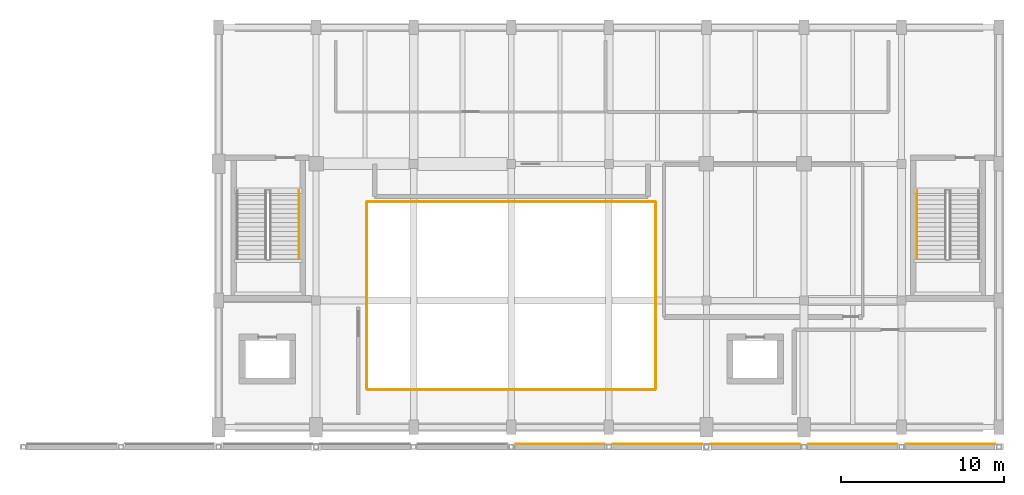
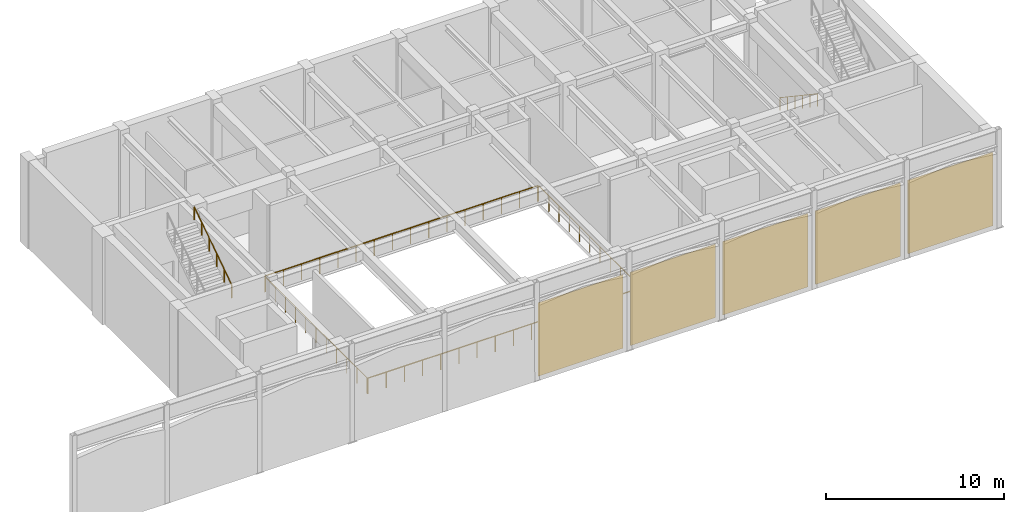
# One storey, part 7 of 8: 6 railings, 5 coverings.
"""IFC4 building model written with IfcOpenShell, lengths in metres."""

import ifcopenshell
import ifcopenshell.guid

model = None  # the IFC model being written
_history = None  # IfcOwnerHistory: only IFC2X3 demands one
_inside = {}  # id of a spatial element -> (the spatial element, [elements in it])
_under = {}  # id of a project, library or spatial element -> (it, [spatial elements below it])
_declared = {}  # id of a project -> (the project, [libraries it declares])
_typed = {}  # id of a type object -> (the type object, [elements of that type])
_made_of = {}  # id of a material, layer set ... -> (it, [elements and type objects made of it])


def new_model(schema):
    """Start an empty IFC model of exactly this schema.

    Asked for "IFC4X3", IfcOpenShell would pick the latest addendum, in which some entities
    have other attributes; the version numbers below select the first issue.
    IFC2X3 requires an IfcOwnerHistory on every rooted entity: one is made here for all.
    """
    global model, _history
    if schema == "IFC4X3":
        model = ifcopenshell.file(schema_version=(4, 3, 0, 0))
    else:
        model = ifcopenshell.file(schema=schema)
    _inside.clear()
    _under.clear()
    _declared.clear()
    _typed.clear()
    _made_of.clear()
    _history = None
    if model.schema == "IFC2X3":
        org = make("IfcOrganization", Name="unknown")
        user = make(
            "IfcPersonAndOrganization",
            ThePerson=make("IfcPerson", FamilyName="unknown"),
            TheOrganization=org,
        )
        app = make(
            "IfcApplication",
            ApplicationDeveloper=org,
            Version="unknown",
            ApplicationFullName="unknown",
            ApplicationIdentifier="unknown",
        )
        _history = make(
            "IfcOwnerHistory",
            OwningUser=user,
            OwningApplication=app,
            ChangeAction="ADDED",
            CreationDate=0,
        )
    return model


def make(cls, **values):
    """One entity of the class cls with the attributes given. An attribute that is None is left unset."""
    return model.create_entity(
        cls, **{name: value for name, value in values.items() if value is not None}
    )


def rooted(cls, **values):
    """An entity with a GlobalId (a new one), such as an element, a storey or a relation."""
    return make(cls, GlobalId=ifcopenshell.guid.new(), OwnerHistory=_history, **values)


def si_unit(unit_type, name, prefix=None):
    """IfcSIUnit, for example si_unit("LENGTHUNIT", "METRE", prefix="MILLI")."""
    return make("IfcSIUnit", UnitType=unit_type, Prefix=prefix, Name=name)


def assignment(units):
    """IfcUnitAssignment: the units of a project."""
    return None if units is None else make("IfcUnitAssignment", Units=units)


def point(xyz):
    """IfcCartesianPoint."""
    return None if xyz is None else make("IfcCartesianPoint", Coordinates=xyz)


def direction(xyz):
    """IfcDirection."""
    return None if xyz is None else make("IfcDirection", DirectionRatios=xyz)


def frame(location, z_axis=None, x_axis=None):
    """IfcAxis2Placement3D, a coordinate frame: its origin and axes. An axis left out is left unset."""
    return make(
        "IfcAxis2Placement3D",
        Location=point(location),
        Axis=direction(z_axis),
        RefDirection=direction(x_axis),
    )


def frame_2d(location, x_axis=None):
    """IfcAxis2Placement2D, a coordinate frame in the plane: its origin and x axis."""
    return make(
        "IfcAxis2Placement2D", Location=point(location), RefDirection=direction(x_axis)
    )


def origin():
    """The frame at (0, 0, 0) with its axes left unset."""
    return frame((0.0, 0.0, 0.0))


def origin_2d():
    """The frame at (0, 0) in the plane with its x axis left unset."""
    return frame_2d((0.0, 0.0))


def place(relative_to, where):
    """IfcLocalPlacement: puts the frame where relative to a parent placement (None: the world)."""
    return make(
        "IfcLocalPlacement", PlacementRelTo=relative_to, RelativePlacement=where
    )


def context(
    kind, dimensions, precision=None, world=None, true_north=None, identifier=None
):
    """IfcGeometricRepresentationContext, for example the 3D "Model" context."""
    return make(
        "IfcGeometricRepresentationContext",
        ContextIdentifier=identifier,
        ContextType=kind,
        CoordinateSpaceDimension=dimensions,
        Precision=precision,
        WorldCoordinateSystem=world,
        TrueNorth=true_north,
    )


def subcontext(parent, identifier, kind, view, scale=None):
    """IfcGeometricRepresentationSubContext, for example "Body" below "Model"."""
    return make(
        "IfcGeometricRepresentationSubContext",
        ContextIdentifier=identifier,
        ContextType=kind,
        ParentContext=parent,
        TargetScale=scale,
        TargetView=view,
    )


def project(units=None, contexts=None):
    """IfcProject with its units and contexts."""
    return rooted(
        "IfcProject",
        Name="project",
        RepresentationContexts=contexts,
        UnitsInContext=assignment(units),
    )


def spatial(cls, under=None, at=None, **own):
    """A site, building, storey or space (cls), placed at a placement, below another one or the project."""
    s = rooted(cls, ObjectPlacement=at, **own)
    if under is not None:
        _under.setdefault(under.id(), (under, []))[1].append(s)
    return s


def profile(cls, at=None, kind="AREA", **sizes):
    """A parametric profile (cls). Its sizes go by their IFC names, for example OverallWidth=200.0."""
    return make(cls, ProfileType=kind, Position=at, **sizes)


def rectangle(**sizes):
    """IfcRectangleProfileDef."""
    return profile("IfcRectangleProfileDef", **sizes)


def circle(**sizes):
    """IfcCircleProfileDef."""
    return profile("IfcCircleProfileDef", **sizes)


def extrude(swept, where, along, depth):
    """IfcExtrudedAreaSolid: the profile swept, set in the frame where, extruded along a direction by depth."""
    return make(
        "IfcExtrudedAreaSolid",
        SweptArea=swept,
        Position=where,
        ExtrudedDirection=direction(along),
        Depth=depth,
    )


def shape(context_of_items, identifier, shape_type, items):
    """IfcShapeRepresentation: the items that make up one representation, for example the "Body"."""
    return make(
        "IfcShapeRepresentation",
        ContextOfItems=context_of_items,
        RepresentationIdentifier=identifier,
        RepresentationType=shape_type,
        Items=items,
    )


def material(Name=None, Category=None):
    """IfcMaterial."""
    return make("IfcMaterial", Name=Name, Category=Category)


def layer(
    of_material, thickness, ventilated=None, Name=None, Category=None, Priority=None
):
    """IfcMaterialLayer: one layer of a wall or slab, of a material (None: an air gap)."""
    return make(
        "IfcMaterialLayer",
        Material=of_material,
        LayerThickness=thickness,
        IsVentilated=ventilated,
        Name=Name,
        Category=Category,
        Priority=Priority,
    )


def layer_set(layers, Name=None):
    """IfcMaterialLayerSet."""
    return make("IfcMaterialLayerSet", MaterialLayers=layers, LayerSetName=Name)


def made_of(thing, what):
    """Note that an element or type object is made of a material, layer set ...; save() writes the relation."""
    if what is not None:
        _made_of.setdefault(what.id(), (what, []))[1].append(thing)
    return thing


def type_object(cls, material=None, **own):
    """A type object (cls), such as IfcWallType, which elements share."""
    return made_of(rooted(cls, **own), material)


def element(
    cls,
    number,
    at=None,
    inside=None,
    cuts=None,
    type_object=None,
    material=None,
    context=None,
    identifier="Body",
    shape_type=None,
    held_by="IfcProductDefinitionShape",
    body=None,
    shapes=None,
    **own,
):
    """One element of the class cls, such as IfcWall. Its Tag is "e" and its number.

    at: its placement. inside: the storey or other place that contains it. cuts: it is an
    opening in that element (IfcRelVoidsElement). A single representation is given by context,
    identifier, shape_type and body (its items); several are given by shapes. held_by: the class
    of the entity that holds the representations. save() writes the other relations.
    """
    e = rooted(cls, Tag="e%d" % number, ObjectPlacement=at, **own)
    if body is not None:
        shapes = [shape(context, identifier, shape_type, body)]
    if shapes is not None:
        e.Representation = make(held_by, Representations=shapes)
    if inside is not None:
        _inside.setdefault(inside.id(), (inside, []))[1].append(e)
    if cuts is not None:
        rooted(
            "IfcRelVoidsElement", RelatingBuildingElement=cuts, RelatedOpeningElement=e
        )
    if type_object is not None:
        _typed.setdefault(type_object.id(), (type_object, []))[1].append(e)
    return made_of(e, material)


def aggregate(whole, parts):
    """IfcRelAggregates: a whole, such as a stair, and the parts it consists of."""
    return rooted("IfcRelAggregates", RelatingObject=whole, RelatedObjects=parts)


def save(model, path):
    """Write the relations noted so far, then the file.

    IfcRelAggregates (storeys below a building ...), IfcRelContainedInSpatialStructure (elements
    in a storey), IfcRelDefinesByType, IfcRelAssociatesMaterial and IfcRelDeclares: one each for
    every whole, place, type object, material and project.
    """
    for whole, parts in _under.values():
        aggregate(whole, parts)
    for where, things in _inside.values():
        rooted(
            "IfcRelContainedInSpatialStructure",
            RelatedElements=things,
            RelatingStructure=where,
        )
    for kind, things in _typed.values():
        rooted("IfcRelDefinesByType", RelatedObjects=things, RelatingType=kind)
    for what, things in _made_of.values():
        rooted("IfcRelAssociatesMaterial", RelatedObjects=things, RelatingMaterial=what)
    for by, libraries in _declared.values():
        rooted("IfcRelDeclares", RelatingContext=by, RelatedDefinitions=libraries)
    model.write(path)


model = new_model("IFC4")

# Units and contexts
model_context = context("Model", 3, precision=1e-05, world=origin(), true_north=direction((0.0, 1.0)))
body_context = subcontext(model_context, "Body", "Model", "MODEL_VIEW")
ifc_project = project(units=[si_unit("LENGTHUNIT", "METRE"), si_unit("AREAUNIT", "SQUARE_METRE"), si_unit("VOLUMEUNIT", "CUBIC_METRE"), si_unit("PLANEANGLEUNIT", "RADIAN"), si_unit("MASSUNIT", "GRAM", prefix="KILO")], contexts=[model_context])

# Site, building, storey
site_placement = place(None, origin())
site = spatial("IfcSite", under=ifc_project, at=site_placement, CompositionType="ELEMENT")
building_placement = place(site_placement, origin())
building = spatial("IfcBuilding", under=site, at=building_placement, Name="Vaelkrest Opera House", CompositionType="ELEMENT")
storey_placement = place(building_placement, frame((0.0, 0.0, 30.0)))
storey = spatial("IfcBuildingStorey", under=building, at=storey_placement, Name="L06", CompositionType="ELEMENT", Elevation=30.0)

# Coverings
ifc_material_1 = material(Name="American black walnut acoustic timber", Category="wood")
ifc_layer = layer(ifc_material_1, 0.0400390625)
ifc_layer_set = layer_set([ifc_layer], Name="American black walnut acoustic timber")
covering_type = type_object("IfcCoveringType", Name="COV-CL01", PredefinedType="CLADDING", material=ifc_layer_set)
for number, where, z_axis, x_axis, name in (
    (1, (3.0, 16.37744140625, 0.05029296875), (0.0, 0.0, 1.0), (1.0, 0.0, 0.0), "Walnut timber facade cladding V1-06"),
    (2, (9.0, 16.37744140625, 0.05029296875), (0.0, 0.0, 1.0), (1.0, 0.0, 0.0), "Walnut timber facade cladding V1-07"),
    (3, (15.0, 16.37744140625, 0.05029296875), (0.0, 0.0, 1.0), (1.0, 0.0, 0.0), "Walnut timber facade cladding V1-08"),
    (4, (21.0, 16.37744140625, 0.05029296875), (0.0, 0.0, 1.0), (1.0, 0.0, 0.0), "Walnut timber facade cladding V1-09"),
    (5, (27.0, 16.37744140625, 0.05029296875), (0.0, 0.0, 1.0), (1.0, 0.0, 0.0), "Walnut timber facade cladding V1-10"),
):
    element("IfcCovering", number, at=place(storey_placement, frame(where, z_axis=z_axis, x_axis=x_axis)), inside=storey, type_object=covering_type, Name=name, PredefinedType="CLADDING", context=body_context, shape_type="SweptSolid", body=[
        extrude(rectangle(XDim=5.5, YDim=0.0400390625, at=origin_2d()), origin(), (0.0, 0.0, 1.0), 5.035888671875),
    ])

# Railings
ifc_material_2 = material(Name="Dark bronze anodized aluminium", Category="aluminium")
railing_type_1 = type_object("IfcRailingType", Name="GR01", PredefinedType="GUARDRAIL", material=ifc_material_2)
railing_1_placement = place(storey_placement, frame((-8.840087890625, 19.719970703125, 0.0)))
element("IfcRailing", 6, at=railing_1_placement, inside=storey, type_object=railing_type_1, Name="Atrium/stage void guard V2 L06-1 seg 1", PredefinedType="GUARDRAIL", context=body_context, shape_type="SweptSolid", body=[
    extrude(circle(Radius=0.02392578125, at=origin_2d()), frame((0.0, 0.0, 1.076171875), z_axis=(1.0, 0.0, 0.0), x_axis=(0.0, 1.0, 0.0)), (0.0, 0.0, 1.0), 17.68017578125),
    extrude(circle(Radius=0.02099609375, at=origin_2d()), origin(), (0.0, 0.0, 1.0), 1.052001953125),
    extrude(circle(Radius=0.02099609375, at=origin_2d()), frame((1.1787109375, 0.0, 0.0)), (0.0, 0.0, 1.0), 1.052001953125),
    extrude(circle(Radius=0.02099609375, at=origin_2d()), frame((2.357421875, 0.0, 0.0)), (0.0, 0.0, 1.0), 1.052001953125),
    extrude(circle(Radius=0.02099609375, at=origin_2d()), frame((3.5361328125, 0.0, 0.0)), (0.0, 0.0, 1.0), 1.052001953125),
    extrude(circle(Radius=0.02099609375, at=origin_2d()), frame((4.714599609375, 0.0, 0.0)), (0.0, 0.0, 1.0), 1.052001953125),
    extrude(circle(Radius=0.02099609375, at=origin_2d()), frame((5.893310546875, 0.0, 0.0)), (0.0, 0.0, 1.0), 1.052001953125),
    extrude(circle(Radius=0.02099609375, at=origin_2d()), frame((7.072021484375, 0.0, 0.0)), (0.0, 0.0, 1.0), 1.052001953125),
    extrude(circle(Radius=0.02099609375, at=origin_2d()), frame((8.250732421875, 0.0, 0.0)), (0.0, 0.0, 1.0), 1.052001953125),
    extrude(circle(Radius=0.02099609375, at=origin_2d()), frame((9.429443359375, 0.0, 0.0)), (0.0, 0.0, 1.0), 1.052001953125),
    extrude(circle(Radius=0.02099609375, at=origin_2d()), frame((10.608154296875, 0.0, 0.0)), (0.0, 0.0, 1.0), 1.052001953125),
    extrude(circle(Radius=0.02099609375, at=origin_2d()), frame((11.786865234375, 0.0, 0.0)), (0.0, 0.0, 1.0), 1.052001953125),
    extrude(circle(Radius=0.02099609375, at=origin_2d()), frame((12.965576171875, 0.0, 0.0)), (0.0, 0.0, 1.0), 1.052001953125),
    extrude(circle(Radius=0.02099609375, at=origin_2d()), frame((14.14404296875, 0.0, 0.0)), (0.0, 0.0, 1.0), 1.052001953125),
    extrude(circle(Radius=0.02099609375, at=origin_2d()), frame((15.32275390625, 0.0, 0.0)), (0.0, 0.0, 1.0), 1.052001953125),
    extrude(circle(Radius=0.02099609375, at=origin_2d()), frame((16.50146484375, 0.0, 0.0)), (0.0, 0.0, 1.0), 1.052001953125),
    extrude(circle(Radius=0.02099609375, at=origin_2d()), frame((17.68017578125, 0.0, 0.0)), (0.0, 0.0, 1.0), 1.052001953125),
])
railing_2_placement = place(storey_placement, frame((8.8798828125, 19.760009765625, 0.0)))
element("IfcRailing", 7, at=railing_2_placement, inside=storey, type_object=railing_type_1, Name="Atrium/stage void guard V2 L06-1 seg 2", PredefinedType="GUARDRAIL", context=body_context, shape_type="SweptSolid", body=[
    extrude(circle(Radius=0.02392578125, at=origin_2d()), frame((0.0, 0.0, 1.076171875), z_axis=(0.0, 1.0, 0.0), x_axis=(-1.0, 0.0, 0.0)), (0.0, 0.0, 1.0), 11.47998046875),
    extrude(circle(Radius=0.02099609375, at=origin_2d()), origin(), (0.0, 0.0, 1.0), 1.052001953125),
    extrude(circle(Radius=0.02099609375, at=origin_2d()), frame((0.0, 1.14794921875, 0.0)), (0.0, 0.0, 1.0), 1.052001953125),
    extrude(circle(Radius=0.02099609375, at=origin_2d()), frame((0.0, 2.2958984375, 0.0)), (0.0, 0.0, 1.0), 1.052001953125),
    extrude(circle(Radius=0.02099609375, at=origin_2d()), frame((0.0, 3.444091796875, 0.0)), (0.0, 0.0, 1.0), 1.052001953125),
    extrude(circle(Radius=0.02099609375, at=origin_2d()), frame((0.0, 4.592041015625, 0.0)), (0.0, 0.0, 1.0), 1.052001953125),
    extrude(circle(Radius=0.02099609375, at=origin_2d()), frame((0.0, 5.739990234375, 0.0)), (0.0, 0.0, 1.0), 1.052001953125),
    extrude(circle(Radius=0.02099609375, at=origin_2d()), frame((0.0, 6.887939453125, 0.0)), (0.0, 0.0, 1.0), 1.052001953125),
    extrude(circle(Radius=0.02099609375, at=origin_2d()), frame((0.0, 8.035888671875, 0.0)), (0.0, 0.0, 1.0), 1.052001953125),
    extrude(circle(Radius=0.02099609375, at=origin_2d()), frame((0.0, 9.18408203125, 0.0)), (0.0, 0.0, 1.0), 1.052001953125),
    extrude(circle(Radius=0.02099609375, at=origin_2d()), frame((0.0, 10.33203125, 0.0)), (0.0, 0.0, 1.0), 1.052001953125),
    extrude(circle(Radius=0.02099609375, at=origin_2d()), frame((0.0, 11.47998046875, 0.0)), (0.0, 0.0, 1.0), 1.052001953125),
])
railing_3_placement = place(storey_placement, frame((8.840087890625, 31.280029296875, 0.0)))
element("IfcRailing", 8, at=railing_3_placement, inside=storey, type_object=railing_type_1, Name="Atrium/stage void guard V2 L06-1 seg 3", PredefinedType="GUARDRAIL", context=body_context, shape_type="SweptSolid", body=[
    extrude(circle(Radius=0.02392578125, at=origin_2d()), frame((0.0, 0.0, 1.076171875), z_axis=(-1.0, 0.0, 0.0), x_axis=(0.0, -1.0, 0.0)), (0.0, 0.0, 1.0), 17.68017578125),
    extrude(circle(Radius=0.02099609375, at=origin_2d()), origin(), (0.0, 0.0, 1.0), 1.052001953125),
    extrude(circle(Radius=0.02099609375, at=origin_2d()), frame((-1.1787109375, 0.0, 0.0)), (0.0, 0.0, 1.0), 1.052001953125),
    extrude(circle(Radius=0.02099609375, at=origin_2d()), frame((-2.357421875, 0.0, 0.0)), (0.0, 0.0, 1.0), 1.052001953125),
    extrude(circle(Radius=0.02099609375, at=origin_2d()), frame((-3.5361328125, 0.0, 0.0)), (0.0, 0.0, 1.0), 1.052001953125),
    extrude(circle(Radius=0.02099609375, at=origin_2d()), frame((-4.714599609375, 0.0, 0.0)), (0.0, 0.0, 1.0), 1.052001953125),
    extrude(circle(Radius=0.02099609375, at=origin_2d()), frame((-5.893310546875, 0.0, 0.0)), (0.0, 0.0, 1.0), 1.052001953125),
    extrude(circle(Radius=0.02099609375, at=origin_2d()), frame((-7.072021484375, 0.0, 0.0)), (0.0, 0.0, 1.0), 1.052001953125),
    extrude(circle(Radius=0.02099609375, at=origin_2d()), frame((-8.250732421875, 0.0, 0.0)), (0.0, 0.0, 1.0), 1.052001953125),
    extrude(circle(Radius=0.02099609375, at=origin_2d()), frame((-9.429443359375, 0.0, 0.0)), (0.0, 0.0, 1.0), 1.052001953125),
    extrude(circle(Radius=0.02099609375, at=origin_2d()), frame((-10.608154296875, 0.0, 0.0)), (0.0, 0.0, 1.0), 1.052001953125),
    extrude(circle(Radius=0.02099609375, at=origin_2d()), frame((-11.786865234375, 0.0, 0.0)), (0.0, 0.0, 1.0), 1.052001953125),
    extrude(circle(Radius=0.02099609375, at=origin_2d()), frame((-12.965576171875, 0.0, 0.0)), (0.0, 0.0, 1.0), 1.052001953125),
    extrude(circle(Radius=0.02099609375, at=origin_2d()), frame((-14.14404296875, 0.0, 0.0)), (0.0, 0.0, 1.0), 1.052001953125),
    extrude(circle(Radius=0.02099609375, at=origin_2d()), frame((-15.32275390625, 0.0, 0.0)), (0.0, 0.0, 1.0), 1.052001953125),
    extrude(circle(Radius=0.02099609375, at=origin_2d()), frame((-16.50146484375, 0.0, 0.0)), (0.0, 0.0, 1.0), 1.052001953125),
    extrude(circle(Radius=0.02099609375, at=origin_2d()), frame((-17.68017578125, 0.0, 0.0)), (0.0, 0.0, 1.0), 1.052001953125),
])
railing_4_placement = place(storey_placement, frame((-8.8798828125, 31.239990234375, 0.0)))
element("IfcRailing", 9, at=railing_4_placement, inside=storey, type_object=railing_type_1, Name="Atrium/stage void guard V2 L06-1 seg 4", PredefinedType="GUARDRAIL", context=body_context, shape_type="SweptSolid", body=[
    extrude(circle(Radius=0.02392578125, at=origin_2d()), frame((0.0, 0.0, 1.076171875), z_axis=(0.0, -1.0, 0.0), x_axis=(1.0, 0.0, 0.0)), (0.0, 0.0, 1.0), 11.47998046875),
    extrude(circle(Radius=0.02099609375, at=origin_2d()), origin(), (0.0, 0.0, 1.0), 1.052001953125),
    extrude(circle(Radius=0.02099609375, at=origin_2d()), frame((0.0, -1.14794921875, 0.0)), (0.0, 0.0, 1.0), 1.052001953125),
    extrude(circle(Radius=0.02099609375, at=origin_2d()), frame((0.0, -2.2958984375, 0.0)), (0.0, 0.0, 1.0), 1.052001953125),
    extrude(circle(Radius=0.02099609375, at=origin_2d()), frame((0.0, -3.444091796875, 0.0)), (0.0, 0.0, 1.0), 1.052001953125),
    extrude(circle(Radius=0.02099609375, at=origin_2d()), frame((0.0, -4.592041015625, 0.0)), (0.0, 0.0, 1.0), 1.052001953125),
    extrude(circle(Radius=0.02099609375, at=origin_2d()), frame((0.0, -5.739990234375, 0.0)), (0.0, 0.0, 1.0), 1.052001953125),
    extrude(circle(Radius=0.02099609375, at=origin_2d()), frame((0.0, -6.887939453125, 0.0)), (0.0, 0.0, 1.0), 1.052001953125),
    extrude(circle(Radius=0.02099609375, at=origin_2d()), frame((0.0, -8.035888671875, 0.0)), (0.0, 0.0, 1.0), 1.052001953125),
    extrude(circle(Radius=0.02099609375, at=origin_2d()), frame((0.0, -9.18408203125, 0.0)), (0.0, 0.0, 1.0), 1.052001953125),
    extrude(circle(Radius=0.02099609375, at=origin_2d()), frame((0.0, -10.33203125, 0.0)), (0.0, 0.0, 1.0), 1.052001953125),
    extrude(circle(Radius=0.02099609375, at=origin_2d()), frame((0.0, -11.47998046875, 0.0)), (0.0, 0.0, 1.0), 1.052001953125),
])
railing_type_2 = type_object("IfcRailingType", Name="HR02", PredefinedType="HANDRAIL", material=ifc_material_2)
railing_5_placement = place(storey_placement, frame((-13.050048828125, 27.75, 3.1875)))
element("IfcRailing", 10, at=railing_5_placement, inside=storey, type_object=railing_type_2, Name="L06 ST05 stair handrail 2", PredefinedType="HANDRAIL", context=body_context, shape_type="SweptSolid", body=[
    extrude(circle(Radius=0.02392578125, at=origin_2d()), frame((0.0, 0.0, 0.8759765625), z_axis=(0.0, 0.830904186295, 0.556415522067), x_axis=(-1.0, 0.0, 0.0)), (0.0, 0.0, 1.0), 5.0546875),
    extrude(circle(Radius=0.02099609375, at=origin_2d()), origin(), (0.0, 0.0, 1.0), 0.851806640625),
    extrude(circle(Radius=0.02099609375, at=origin_2d()), frame((0.0, 0.840087890625, 0.5625)), (0.0, 0.0, 1.0), 0.851806640625),
    extrude(circle(Radius=0.02099609375, at=origin_2d()), frame((0.0, 1.679931640625, 1.125)), (0.0, 0.0, 1.0), 0.851806640625),
    extrude(circle(Radius=0.02099609375, at=origin_2d()), frame((0.0, 2.52001953125, 1.6875)), (0.0, 0.0, 1.0), 0.851806640625),
    extrude(circle(Radius=0.02099609375, at=origin_2d()), frame((0.0, 3.35986328125, 2.25)), (0.0, 0.0, 1.0), 0.851806640625),
    extrude(circle(Radius=0.02099609375, at=origin_2d()), frame((0.0, 4.199951171875, 2.8125)), (0.0, 0.0, 1.0), 0.851806640625),
])
railing_6_placement = place(storey_placement, frame((24.949951171875, 31.949951171875, 0.1875)))
element("IfcRailing", 11, at=railing_6_placement, inside=storey, type_object=railing_type_2, Name="L06 ST06 stair handrail 1", PredefinedType="HANDRAIL", context=body_context, shape_type="SweptSolid", body=[
    extrude(circle(Radius=0.02392578125, at=origin_2d()), frame((0.0, 0.0, 0.8759765625), z_axis=(0.0, -0.830904186295, 0.556415522067), x_axis=(1.0, 0.0, 0.0)), (0.0, 0.0, 1.0), 5.0546875),
    extrude(circle(Radius=0.02099609375, at=origin_2d()), origin(), (0.0, 0.0, 1.0), 0.851806640625),
    extrude(circle(Radius=0.02099609375, at=origin_2d()), frame((0.0, -0.840087890625, 0.5625)), (0.0, 0.0, 1.0), 0.851806640625),
    extrude(circle(Radius=0.02099609375, at=origin_2d()), frame((0.0, -1.679931640625, 1.125)), (0.0, 0.0, 1.0), 0.851806640625),
    extrude(circle(Radius=0.02099609375, at=origin_2d()), frame((0.0, -2.52001953125, 1.6875)), (0.0, 0.0, 1.0), 0.851806640625),
    extrude(circle(Radius=0.02099609375, at=origin_2d()), frame((0.0, -3.35986328125, 2.25)), (0.0, 0.0, 1.0), 0.851806640625),
    extrude(circle(Radius=0.02099609375, at=origin_2d()), frame((0.0, -4.199951171875, 2.8125)), (0.0, 0.0, 1.0), 0.851806640625),
])

save(model, "model.ifc")
